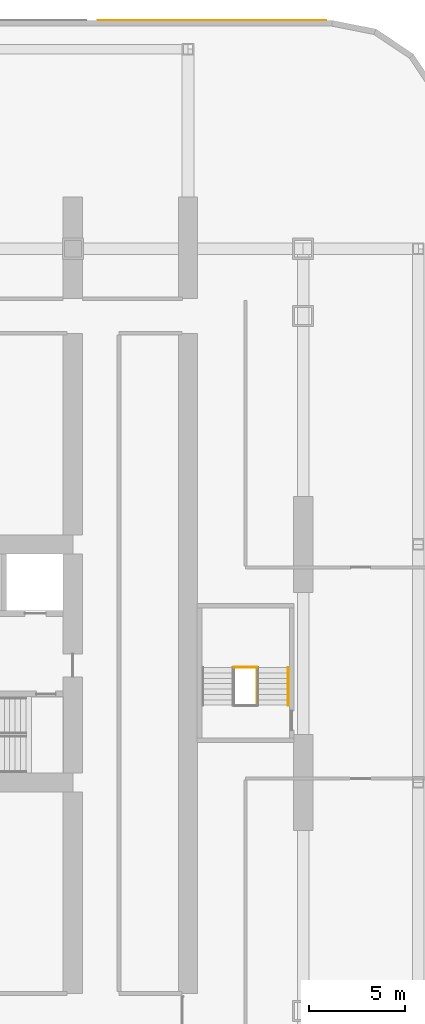
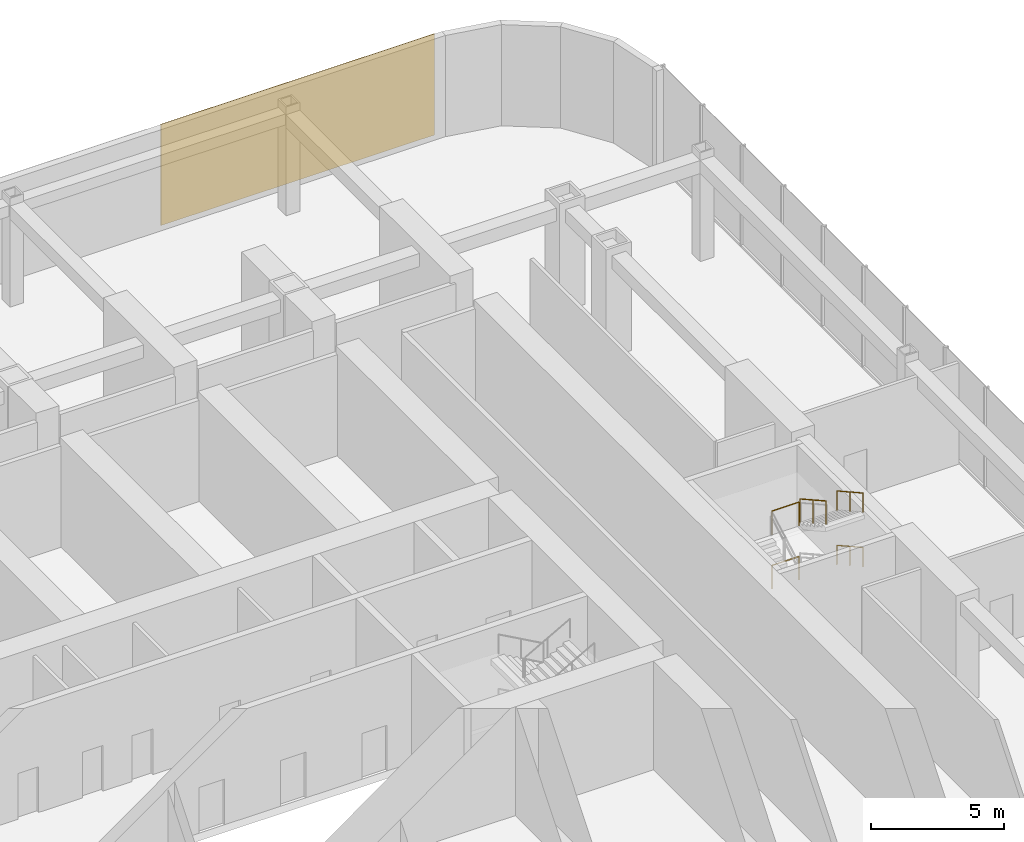
# One storey, part 37 of 37: 5 railings, 1 covering.
"""IFC4 building model written with IfcOpenShell, lengths in metres."""

import ifcopenshell
import ifcopenshell.guid

model = None  # the IFC model being written
_history = None  # IfcOwnerHistory: only IFC2X3 demands one
_inside = {}  # id of a spatial element -> (the spatial element, [elements in it])
_under = {}  # id of a project, library or spatial element -> (it, [spatial elements below it])
_declared = {}  # id of a project -> (the project, [libraries it declares])
_typed = {}  # id of a type object -> (the type object, [elements of that type])
_made_of = {}  # id of a material, layer set ... -> (it, [elements and type objects made of it])


def new_model(schema):
    """Start an empty IFC model of exactly this schema.

    Asked for "IFC4X3", IfcOpenShell would pick the latest addendum, in which some entities
    have other attributes; the version numbers below select the first issue.
    IFC2X3 requires an IfcOwnerHistory on every rooted entity: one is made here for all.
    """
    global model, _history
    if schema == "IFC4X3":
        model = ifcopenshell.file(schema_version=(4, 3, 0, 0))
    else:
        model = ifcopenshell.file(schema=schema)
    _inside.clear()
    _under.clear()
    _declared.clear()
    _typed.clear()
    _made_of.clear()
    _history = None
    if model.schema == "IFC2X3":
        org = make("IfcOrganization", Name="unknown")
        user = make(
            "IfcPersonAndOrganization",
            ThePerson=make("IfcPerson", FamilyName="unknown"),
            TheOrganization=org,
        )
        app = make(
            "IfcApplication",
            ApplicationDeveloper=org,
            Version="unknown",
            ApplicationFullName="unknown",
            ApplicationIdentifier="unknown",
        )
        _history = make(
            "IfcOwnerHistory",
            OwningUser=user,
            OwningApplication=app,
            ChangeAction="ADDED",
            CreationDate=0,
        )
    return model


def make(cls, **values):
    """One entity of the class cls with the attributes given. An attribute that is None is left unset."""
    return model.create_entity(
        cls, **{name: value for name, value in values.items() if value is not None}
    )


def rooted(cls, **values):
    """An entity with a GlobalId (a new one), such as an element, a storey or a relation."""
    return make(cls, GlobalId=ifcopenshell.guid.new(), OwnerHistory=_history, **values)


def si_unit(unit_type, name, prefix=None):
    """IfcSIUnit, for example si_unit("LENGTHUNIT", "METRE", prefix="MILLI")."""
    return make("IfcSIUnit", UnitType=unit_type, Prefix=prefix, Name=name)


def assignment(units):
    """IfcUnitAssignment: the units of a project."""
    return None if units is None else make("IfcUnitAssignment", Units=units)


def point(xyz):
    """IfcCartesianPoint."""
    return None if xyz is None else make("IfcCartesianPoint", Coordinates=xyz)


def direction(xyz):
    """IfcDirection."""
    return None if xyz is None else make("IfcDirection", DirectionRatios=xyz)


def frame(location, z_axis=None, x_axis=None):
    """IfcAxis2Placement3D, a coordinate frame: its origin and axes. An axis left out is left unset."""
    return make(
        "IfcAxis2Placement3D",
        Location=point(location),
        Axis=direction(z_axis),
        RefDirection=direction(x_axis),
    )


def frame_2d(location, x_axis=None):
    """IfcAxis2Placement2D, a coordinate frame in the plane: its origin and x axis."""
    return make(
        "IfcAxis2Placement2D", Location=point(location), RefDirection=direction(x_axis)
    )


def origin():
    """The frame at (0, 0, 0) with its axes left unset."""
    return frame((0.0, 0.0, 0.0))


def origin_2d():
    """The frame at (0, 0) in the plane with its x axis left unset."""
    return frame_2d((0.0, 0.0))


def place(relative_to, where):
    """IfcLocalPlacement: puts the frame where relative to a parent placement (None: the world)."""
    return make(
        "IfcLocalPlacement", PlacementRelTo=relative_to, RelativePlacement=where
    )


def context(
    kind, dimensions, precision=None, world=None, true_north=None, identifier=None
):
    """IfcGeometricRepresentationContext, for example the 3D "Model" context."""
    return make(
        "IfcGeometricRepresentationContext",
        ContextIdentifier=identifier,
        ContextType=kind,
        CoordinateSpaceDimension=dimensions,
        Precision=precision,
        WorldCoordinateSystem=world,
        TrueNorth=true_north,
    )


def subcontext(parent, identifier, kind, view, scale=None):
    """IfcGeometricRepresentationSubContext, for example "Body" below "Model"."""
    return make(
        "IfcGeometricRepresentationSubContext",
        ContextIdentifier=identifier,
        ContextType=kind,
        ParentContext=parent,
        TargetScale=scale,
        TargetView=view,
    )


def project(units=None, contexts=None):
    """IfcProject with its units and contexts."""
    return rooted(
        "IfcProject",
        Name="project",
        RepresentationContexts=contexts,
        UnitsInContext=assignment(units),
    )


def spatial(cls, under=None, at=None, **own):
    """A site, building, storey or space (cls), placed at a placement, below another one or the project."""
    s = rooted(cls, ObjectPlacement=at, **own)
    if under is not None:
        _under.setdefault(under.id(), (under, []))[1].append(s)
    return s


def profile(cls, at=None, kind="AREA", **sizes):
    """A parametric profile (cls). Its sizes go by their IFC names, for example OverallWidth=200.0."""
    return make(cls, ProfileType=kind, Position=at, **sizes)


def rectangle(**sizes):
    """IfcRectangleProfileDef."""
    return profile("IfcRectangleProfileDef", **sizes)


def circle(**sizes):
    """IfcCircleProfileDef."""
    return profile("IfcCircleProfileDef", **sizes)


def extrude(swept, where, along, depth):
    """IfcExtrudedAreaSolid: the profile swept, set in the frame where, extruded along a direction by depth."""
    return make(
        "IfcExtrudedAreaSolid",
        SweptArea=swept,
        Position=where,
        ExtrudedDirection=direction(along),
        Depth=depth,
    )


def shape(context_of_items, identifier, shape_type, items):
    """IfcShapeRepresentation: the items that make up one representation, for example the "Body"."""
    return make(
        "IfcShapeRepresentation",
        ContextOfItems=context_of_items,
        RepresentationIdentifier=identifier,
        RepresentationType=shape_type,
        Items=items,
    )


def material(Name=None, Category=None):
    """IfcMaterial."""
    return make("IfcMaterial", Name=Name, Category=Category)


def layer(
    of_material, thickness, ventilated=None, Name=None, Category=None, Priority=None
):
    """IfcMaterialLayer: one layer of a wall or slab, of a material (None: an air gap)."""
    return make(
        "IfcMaterialLayer",
        Material=of_material,
        LayerThickness=thickness,
        IsVentilated=ventilated,
        Name=Name,
        Category=Category,
        Priority=Priority,
    )


def layer_set(layers, Name=None):
    """IfcMaterialLayerSet."""
    return make("IfcMaterialLayerSet", MaterialLayers=layers, LayerSetName=Name)


def made_of(thing, what):
    """Note that an element or type object is made of a material, layer set ...; save() writes the relation."""
    if what is not None:
        _made_of.setdefault(what.id(), (what, []))[1].append(thing)
    return thing


def type_object(cls, material=None, **own):
    """A type object (cls), such as IfcWallType, which elements share."""
    return made_of(rooted(cls, **own), material)


def element(
    cls,
    number,
    at=None,
    inside=None,
    cuts=None,
    type_object=None,
    material=None,
    context=None,
    identifier="Body",
    shape_type=None,
    held_by="IfcProductDefinitionShape",
    body=None,
    shapes=None,
    **own,
):
    """One element of the class cls, such as IfcWall. Its Tag is "e" and its number.

    at: its placement. inside: the storey or other place that contains it. cuts: it is an
    opening in that element (IfcRelVoidsElement). A single representation is given by context,
    identifier, shape_type and body (its items); several are given by shapes. held_by: the class
    of the entity that holds the representations. save() writes the other relations.
    """
    e = rooted(cls, Tag="e%d" % number, ObjectPlacement=at, **own)
    if body is not None:
        shapes = [shape(context, identifier, shape_type, body)]
    if shapes is not None:
        e.Representation = make(held_by, Representations=shapes)
    if inside is not None:
        _inside.setdefault(inside.id(), (inside, []))[1].append(e)
    if cuts is not None:
        rooted(
            "IfcRelVoidsElement", RelatingBuildingElement=cuts, RelatedOpeningElement=e
        )
    if type_object is not None:
        _typed.setdefault(type_object.id(), (type_object, []))[1].append(e)
    return made_of(e, material)


def aggregate(whole, parts):
    """IfcRelAggregates: a whole, such as a stair, and the parts it consists of."""
    return rooted("IfcRelAggregates", RelatingObject=whole, RelatedObjects=parts)


def save(model, path):
    """Write the relations noted so far, then the file.

    IfcRelAggregates (storeys below a building ...), IfcRelContainedInSpatialStructure (elements
    in a storey), IfcRelDefinesByType, IfcRelAssociatesMaterial and IfcRelDeclares: one each for
    every whole, place, type object, material and project.
    """
    for whole, parts in _under.values():
        aggregate(whole, parts)
    for where, things in _inside.values():
        rooted(
            "IfcRelContainedInSpatialStructure",
            RelatedElements=things,
            RelatingStructure=where,
        )
    for kind, things in _typed.values():
        rooted("IfcRelDefinesByType", RelatedObjects=things, RelatingType=kind)
    for what, things in _made_of.values():
        rooted("IfcRelAssociatesMaterial", RelatedObjects=things, RelatingMaterial=what)
    for by, libraries in _declared.values():
        rooted("IfcRelDeclares", RelatingContext=by, RelatedDefinitions=libraries)
    model.write(path)


model = new_model("IFC4")

# Units and contexts
model_context = context("Model", 3, precision=1e-05, world=origin(), true_north=direction((0.0, 1.0)))
body_context = subcontext(model_context, "Body", "Model", "MODEL_VIEW")
ifc_project = project(units=[si_unit("LENGTHUNIT", "METRE"), si_unit("AREAUNIT", "SQUARE_METRE"), si_unit("VOLUMEUNIT", "CUBIC_METRE"), si_unit("PLANEANGLEUNIT", "RADIAN"), si_unit("MASSUNIT", "GRAM", prefix="KILO")], contexts=[model_context])

# Site, building, storey
site_placement = place(None, origin())
site = spatial("IfcSite", under=ifc_project, at=site_placement, CompositionType="ELEMENT")
building_placement = place(site_placement, origin())
building = spatial("IfcBuilding", under=site, at=building_placement, Name="Orbita Commons", CompositionType="ELEMENT")
storey_placement = place(building_placement, frame((0.0, 0.0, 6.0)))
storey = spatial("IfcBuildingStorey", under=building, at=storey_placement, Name="L01", CompositionType="ELEMENT", Elevation=6.0)

# Covering
ifc_material_1 = material(Name="Glass mosaic tesserae on precast backing", Category="concrete")
ifc_layer = layer(ifc_material_1, 0.02001953125)
ifc_layer_set = layer_set([ifc_layer], Name="Glass mosaic tesserae on precast backing")
covering_type = type_object("IfcCoveringType", Name="Mosaic cladding panel 20", PredefinedType="CLADDING", material=ifc_layer_set)
covering_placement = place(storey_placement, frame((73.25, 65.510009765625, 0.0), z_axis=(0.0, 0.0, 1.0), x_axis=(1.0, 0.0, 0.0)))
element("IfcCovering", 1, at=covering_placement, inside=storey, type_object=covering_type, Name="Mosaic mural panel L01 1", PredefinedType="CLADDING", context=body_context, shape_type="SweptSolid", body=[
    extrude(rectangle(XDim=11.89990234375, YDim=0.02001953125, at=origin_2d()), origin(), (0.0, 0.0, 1.0), 4.64990234375),
])

# Railings
ifc_material_2 = material(Name="Steel tube, painted", Category="steel")
railing_type_1 = type_object("IfcRailingType", Name="Stair handrail steel tube 900", PredefinedType="HANDRAIL", material=ifc_material_2)
for number, where, name in (
    (2, (77.215087890625, 31.780029296875, 1.40625), "Stair PS2 handrail L01 flight 2"),
    (3, (77.215087890625, 31.780029296875, 3.90625), "Stair PS2 handrail L01 flight 4"),
):
    element("IfcRailing", number, at=place(storey_placement, frame(where)), inside=storey, type_object=railing_type_1, Name=name, PredefinedType="HANDRAIL", context=body_context, shape_type="SweptSolid", body=[
        extrude(circle(Radius=0.02099609375, at=origin_2d()), frame((0.0, 0.0, 0.87890625), z_axis=(0.0, -0.873232148454, 0.487304437602), x_axis=(1.0, 0.0, 0.0)), (0.0, 0.0, 1.0), 2.244384765625),
        extrude(circle(Radius=0.02001953125, at=origin_2d()), origin(), (0.0, 0.0, 1.0), 0.85791015625),
        extrude(circle(Radius=0.02001953125, at=origin_2d()), frame((0.0, -0.97998046875, 0.546875)), (0.0, 0.0, 1.0), 0.85791015625),
        extrude(circle(Radius=0.02001953125, at=origin_2d()), frame((0.0, -1.9599609375, 1.09375)), (0.0, 0.0, 1.0), 0.85791015625),
    ])
ifc_material_3 = material(Name="Steel balustrade, painted", Category="steel")
railing_type_2 = type_object("IfcRailingType", Name="Stair well guard, steel balustrade 1100", PredefinedType="GUARDRAIL", material=ifc_material_3)
railing_placement = place(storey_placement, frame((75.610107421875, 31.780029296875, 3.90625)))
element("IfcRailing", 4, at=railing_placement, inside=storey, type_object=railing_type_2, Name="Stair PS2 well guard L01 flight 4", PredefinedType="GUARDRAIL", context=body_context, shape_type="SweptSolid", body=[
    extrude(circle(Radius=0.02490234375, at=origin_2d()), frame((0.0, 0.0, 1.0751953125), z_axis=(0.0, -0.873232148454, 0.487304437602), x_axis=(1.0, 0.0, 0.0)), (0.0, 0.0, 1.0), 2.244384765625),
    extrude(circle(Radius=0.02490234375, at=origin_2d()), origin(), (0.0, 0.0, 1.0), 1.050048828125),
    extrude(circle(Radius=0.02490234375, at=origin_2d()), frame((0.0, -0.97998046875, 0.546875)), (0.0, 0.0, 1.0), 1.050048828125),
    extrude(circle(Radius=0.02490234375, at=origin_2d()), frame((0.0, -1.9599609375, 1.09375)), (0.0, 0.0, 1.0), 1.050048828125),
])
for number, where, name in (
    (5, (74.409912109375, 31.81005859375, 1.25), "Stair PS2 landing well guard L01 2"),
    (6, (74.409912109375, 31.81005859375, 3.75), "Stair PS2 landing well guard L01 4"),
):
    element("IfcRailing", number, at=place(storey_placement, frame(where)), inside=storey, type_object=railing_type_2, Name=name, PredefinedType="GUARDRAIL", context=body_context, shape_type="SweptSolid", body=[
        extrude(circle(Radius=0.02490234375, at=origin_2d()), frame((0.0, 0.0, 1.0751953125), z_axis=(1.0, 0.0, 0.0), x_axis=(0.0, 1.0, 0.0)), (0.0, 0.0, 1.0), 1.18017578125),
        extrude(circle(Radius=0.02490234375, at=origin_2d()), origin(), (0.0, 0.0, 1.0), 1.050048828125),
        extrude(circle(Radius=0.02490234375, at=origin_2d()), frame((1.18017578125, 0.0, 0.0)), (0.0, 0.0, 1.0), 1.050048828125),
    ])

save(model, "model.ifc")
